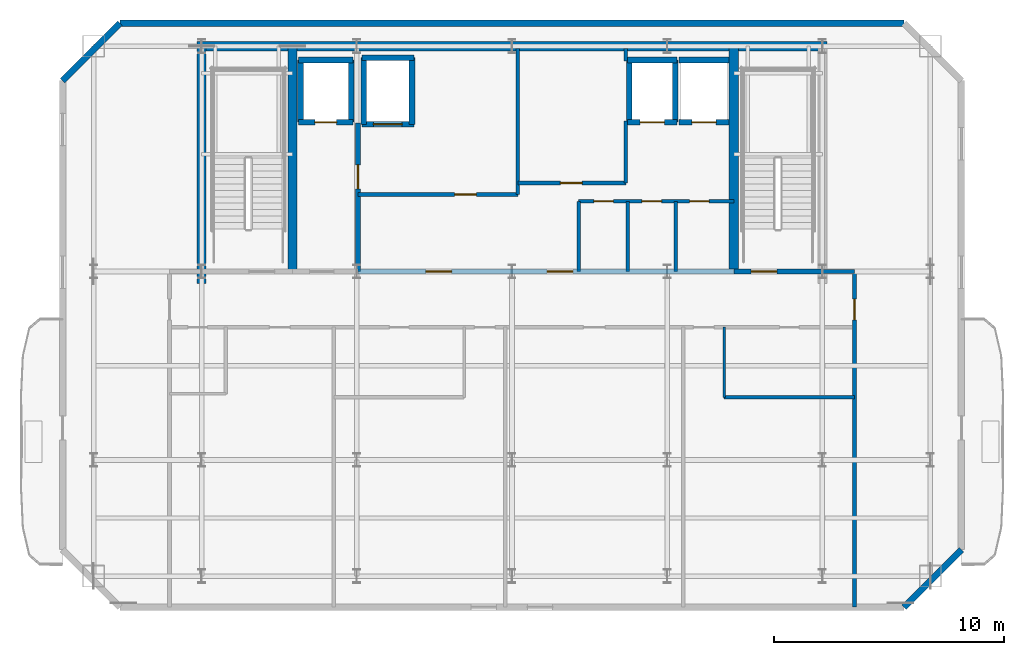
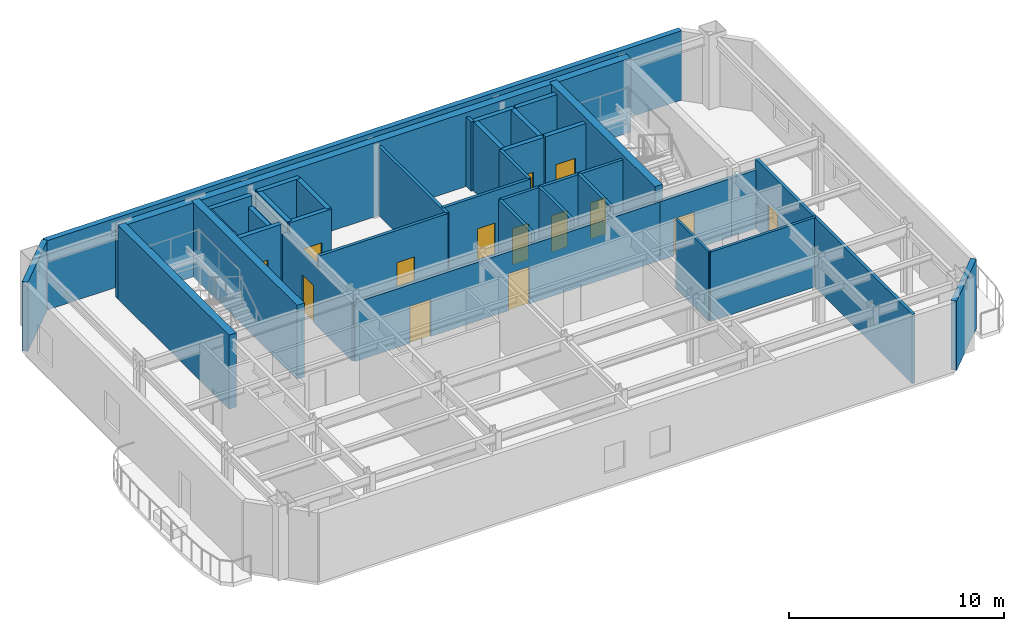
# One storey, part 3 of 6: 37 walls, 14 doors, 14 openings.
"""IFC4 building model written with IfcOpenShell, lengths in metres."""

from ifc_helpers import new_model, si_unit, direction, frame, frame_2d, origin, place, context, subcontext, project, spatial, rectangle, extrude, material, layer, layer_set, type_object, element, fill, save


model = new_model("IFC4")

# Units and contexts
model_context = context("Model", 3, precision=1e-05, world=origin(), true_north=direction((0.0, 1.0)))
body_context = subcontext(model_context, "Body", "Model", "MODEL_VIEW")
ifc_project = project(units=[si_unit("LENGTHUNIT", "METRE"), si_unit("AREAUNIT", "SQUARE_METRE"), si_unit("VOLUMEUNIT", "CUBIC_METRE"), si_unit("PLANEANGLEUNIT", "RADIAN"), si_unit("MASSUNIT", "GRAM", prefix="KILO")], contexts=[model_context])

# Site, building, storey
site_placement = place(None, origin())
site = spatial("IfcSite", under=ifc_project, at=site_placement, CompositionType="ELEMENT")
building_placement = place(site_placement, origin())
building = spatial("IfcBuilding", under=site, at=building_placement, Name="Haevon Station Towers", CompositionType="ELEMENT")
storey_placement = place(building_placement, frame((0.0, 0.0, 265.800048828125)))
storey = spatial("IfcBuildingStorey", under=building, at=storey_placement, Name="L74", CompositionType="ELEMENT", Elevation=265.800048828125)

# Wall, opening, door
ifc_material_1 = material(Name="Gypsum board on steel stud", Category="steel")
ifc_layer_1 = layer(ifc_material_1, 0.199951171875)
ifc_layer_set_1 = layer_set([ifc_layer_1], Name="Gypsum board on steel stud")
wall_type_1 = type_object("IfcWallType", Name="WL-COR200", PredefinedType="PARTITIONING", material=ifc_layer_set_1)
wall_1_placement = place(storey_placement, frame((47.14990234375, 38.199951171875, 0.0), z_axis=(0.0, 0.0, 1.0), x_axis=(1.0, 0.0, 0.0)))
wall_1 = element("IfcWall", 1, at=wall_1_placement, inside=storey, type_object=wall_type_1, Name="WL-ST-ST2-L74", PredefinedType="PARTITIONING", context=body_context, shape_type="SweptSolid", body=[
    extrude(rectangle(XDim=3.85009765625, YDim=0.199951171875, at=frame_2d((1.925048828125, 0.0))), origin(), (0.0, 0.0, 1.0), 3.329833984375),
])
opening_1_placement = place(wall_1_placement, frame((0.75, 0.0, 0.0)))
opening_1 = element("IfcOpeningElement", 2, at=opening_1_placement, cuts=wall_1, Name="Opening DR-ST-ST2-L74", PredefinedType="OPENING", context=body_context, shape_type="SweptSolid", body=[
    extrude(rectangle(XDim=1.1201171875, YDim=2.10009765625, at=frame_2d((0.56005859375, 1.050048828125))), frame((0.0, 0.10986328125, 0.0), z_axis=(0.0, -1.0, 0.0), x_axis=(1.0, 0.0, 0.0)), (0.0, 0.0, 1.0), 0.219970703125),
])
ifc_material_2 = material(Name="Engineered oak timber", Category="wood")
door_type_1 = type_object("IfcDoorType", Name="DR-ST-1120", OperationType="NOTDEFINED", PredefinedType="DOOR", material=ifc_material_2)
door_1_placement = place(opening_1_placement, origin())
door_1 = element("IfcDoor", 3, at=door_1_placement, inside=storey, type_object=door_type_1, Name="L74 Escape Stair ST2 Fire Door", OperationType="SINGLE_SWING_LEFT", OverallHeight=2.10009765625, OverallWidth=1.1201171875, PredefinedType="DOOR", context=body_context, shape_type="SweptSolid", body=[
    extrude(rectangle(XDim=1.1201171875, YDim=2.10009765625, at=frame_2d((0.56005859375, 1.050048828125))), frame((0.0, 0.02490234375, 0.0), z_axis=(0.0, -1.0, 0.0), x_axis=(1.0, 0.0, 0.0)), (0.0, 0.0, 1.0), 0.050048828125),
])
fill(opening_1, door_1)

wall_2_placement = place(storey_placement, frame((30.800048828125, 38.199951171875, 0.0), z_axis=(0.0, 0.0, 1.0), x_axis=(0.0, 1.0, 0.0)))
wall_2 = element("IfcWall", 4, at=wall_2_placement, inside=storey, type_object=wall_type_1, Name="WL-T1FFL-L74-E", PredefinedType="PARTITIONING", context=body_context, shape_type="SweptSolid", body=[
    extrude(rectangle(XDim=6.449951171875, YDim=0.199951171875, at=frame_2d((3.22509765625, 0.0))), origin(), (0.0, 0.0, 1.0), 3.329833984375),
])
opening_2_placement = place(wall_2_placement, frame((3.590087890625, 0.0, 0.0)))
opening_2 = element("IfcOpeningElement", 5, at=opening_2_placement, cuts=wall_2, Name="Opening DR-T1FFL-L74-E", PredefinedType="OPENING", context=body_context, shape_type="SweptSolid", body=[
    extrude(rectangle(XDim=1.050048828125, YDim=2.10009765625, at=frame_2d((0.52490234375, 1.050048828125))), frame((0.0, 0.10986328125, 0.0), z_axis=(0.0, -1.0, 0.0), x_axis=(1.0, 0.0, 0.0)), (0.0, 0.0, 1.0), 0.219970703125),
])
door_type_2 = type_object("IfcDoorType", Name="DR-FD60-1050", OperationType="NOTDEFINED", PredefinedType="DOOR", material=ifc_material_2)
door_2_placement = place(opening_2_placement, origin())
door_2 = element("IfcDoor", 6, at=door_2_placement, inside=storey, type_object=door_type_2, Name="L74 Tower 1 Firefighting Lift Lobby Door E", OperationType="SINGLE_SWING_RIGHT", OverallHeight=2.10009765625, OverallWidth=1.050048828125, PredefinedType="DOOR", context=body_context, shape_type="SweptSolid", body=[
    extrude(rectangle(XDim=1.050048828125, YDim=2.10009765625, at=frame_2d((0.52490234375, 1.050048828125))), frame((0.0, 0.02490234375, 0.0), z_axis=(0.0, -1.0, 0.0), x_axis=(1.0, 0.0, 0.0)), (0.0, 0.0, 1.0), 0.050048828125),
])
fill(opening_2, door_2)

# Wall, openings, doors
wall_3_placement = place(storey_placement, frame((30.800048828125, 38.199951171875, 0.0), z_axis=(0.0, 0.0, 1.0), x_axis=(1.0, 0.0, 0.0)))
wall_3 = element("IfcWall", 7, at=wall_3_placement, inside=storey, type_object=wall_type_1, Name="WL-T1CLB-L74", PredefinedType="PARTITIONING", context=body_context, shape_type="SweptSolid", body=[
    extrude(rectangle(XDim=16.349853515625, YDim=0.199951171875, at=frame_2d((8.1748046875, 0.0))), origin(), (0.0, 0.0, 1.0), 3.329833984375),
])
opening_3_placement = place(wall_3_placement, frame((2.949951171875, 0.0, 0.0)))
opening_3 = element("IfcOpeningElement", 8, at=opening_3_placement, cuts=wall_3, Name="Opening DR-T1CLB-L74-1", PredefinedType="OPENING", context=body_context, shape_type="SweptSolid", body=[
    extrude(rectangle(XDim=1.1201171875, YDim=2.10009765625, at=frame_2d((0.56005859375, 1.050048828125))), frame((0.0, 0.10986328125, 0.0), z_axis=(0.0, -1.0, 0.0), x_axis=(1.0, 0.0, 0.0)), (0.0, 0.0, 1.0), 0.219970703125),
])
opening_4_placement = place(wall_3_placement, frame((8.22998046875, 0.0, 0.0)))
opening_4 = element("IfcOpeningElement", 9, at=opening_4_placement, cuts=wall_3, Name="Opening DR-T1CLB-L74-2", PredefinedType="OPENING", context=body_context, shape_type="SweptSolid", body=[
    extrude(rectangle(XDim=1.1201171875, YDim=2.10009765625, at=frame_2d((0.56005859375, 1.050048828125))), frame((0.0, 0.10986328125, 0.0), z_axis=(0.0, -1.0, 0.0), x_axis=(1.0, 0.0, 0.0)), (0.0, 0.0, 1.0), 0.219970703125),
])
door_3_placement = place(opening_3_placement, origin())
door_3 = element("IfcDoor", 10, at=door_3_placement, inside=storey, type_object=door_type_1, Name="L74 Tower 1 Core Lift Lobby Door 1", OperationType="SINGLE_SWING_RIGHT", OverallHeight=2.10009765625, OverallWidth=1.1201171875, PredefinedType="DOOR", context=body_context, shape_type="SweptSolid", body=[
    extrude(rectangle(XDim=1.1201171875, YDim=2.10009765625, at=frame_2d((0.56005859375, 1.050048828125))), frame((0.0, 0.02490234375, 0.0), z_axis=(0.0, -1.0, 0.0), x_axis=(1.0, 0.0, 0.0)), (0.0, 0.0, 1.0), 0.050048828125),
])
fill(opening_3, door_3)
door_4_placement = place(opening_4_placement, origin())
door_4 = element("IfcDoor", 11, at=door_4_placement, inside=storey, type_object=door_type_1, Name="L74 Tower 1 Core Lift Lobby Door 2", OperationType="SINGLE_SWING_LEFT", OverallHeight=2.10009765625, OverallWidth=1.1201171875, PredefinedType="DOOR", context=body_context, shape_type="SweptSolid", body=[
    extrude(rectangle(XDim=1.1201171875, YDim=2.10009765625, at=frame_2d((0.56005859375, 1.050048828125))), frame((0.0, 0.02490234375, 0.0), z_axis=(0.0, -1.0, 0.0), x_axis=(1.0, 0.0, 0.0)), (0.0, 0.0, 1.0), 0.050048828125),
])
fill(opening_4, door_4)

# Walls
ifc_material_3 = material(Name="Concrete C60/75", Category="concrete")
ifc_layer_2 = layer(ifc_material_3, 0.39990234375)
ifc_layer_set_2 = layer_set([ifc_layer_2], Name="Concrete C60/75")
wall_type_2 = type_object("IfcWallType", Name="WL-CR400", PredefinedType="SHEAR", material=ifc_layer_set_2)
wall_4_placement = place(storey_placement, frame((23.800048828125, 48.0, 0.0), z_axis=(0.0, 0.0, 1.0), x_axis=(1.0, 0.0, 0.0)))
element("IfcWall", 12, at=wall_4_placement, inside=storey, type_object=wall_type_2, Name="WL-T1CR-L74-N", PredefinedType="SHEAR", context=body_context, shape_type="SweptSolid", body=[
    extrude(rectangle(XDim=27.39990234375, YDim=0.39990234375, at=frame_2d((13.699951171875, 0.0))), origin(), (0.0, 0.0, 1.0), 4.199951171875),
])
wall_5_placement = place(storey_placement, frame((24.0, 37.679931640625, 0.0), z_axis=(0.0, 0.0, 1.0), x_axis=(0.0, 1.0, 0.0)))
element("IfcWall", 13, at=wall_5_placement, inside=storey, type_object=wall_type_2, Name="WL-T1CR-L74-W", PredefinedType="SHEAR", context=body_context, shape_type="SweptSolid", body=[
    extrude(rectangle(XDim=10.320068359375, YDim=0.39990234375, at=frame_2d((5.16015625, 0.0))), origin(), (0.0, 0.0, 1.0), 4.199951171875),
])
for number, where, z_axis, x_axis, name in (
    (14, (27.949951171875, 38.199951171875, 0.0), (0.0, 0.0, 1.0), (0.0, 1.0, 0.0), "WL-T1CR-L74-M1"),
    (15, (47.14990234375, 38.199951171875, 0.0), (0.0, 0.0, 1.0), (0.0, 1.0, 0.0), "WL-T1CR-L74-M2"),
):
    element("IfcWall", number, at=place(storey_placement, frame(where, z_axis=z_axis, x_axis=x_axis)), inside=storey, type_object=wall_type_2, Name=name, PredefinedType="SHEAR", context=body_context, shape_type="SweptSolid", body=[
        extrude(rectangle(XDim=9.800048828125, YDim=0.39990234375, at=frame_2d((4.89990234375, 0.0))), origin(), (0.0, 0.0, 1.0), 4.199951171875),
    ])
ifc_material_4 = material(Name="Precast concrete C45/55", Category="concrete")
ifc_layer_3 = layer(ifc_material_4, 0.280029296875)
ifc_layer_set_3 = layer_set([ifc_layer_3], Name="Precast concrete C45/55")
wall_type_3 = type_object("IfcWallType", Name="WL-EXT-PIER280", PredefinedType="SOLIDWALL", material=ifc_layer_set_3)
wall_6_placement = place(storey_placement, frame((17.949951171875, 46.5, 0.0), z_axis=(0.0, 0.0, 1.0), x_axis=(0.707106781187, 0.707106781187, 0.0)))
element("IfcWall", 16, at=wall_6_placement, inside=storey, type_object=wall_type_3, Name="WL-T1-L74-NWC", PredefinedType="SOLIDWALL", context=body_context, shape_type="SweptSolid", body=[
    extrude(rectangle(XDim=3.53564453125, YDim=0.280029296875, at=frame_2d((1.767822265625, 0.0))), origin(), (0.0, 0.0, 1.0), 3.929931640625),
])
wall_7_placement = place(storey_placement, frame((20.449951171875, 49.0, 0.0), z_axis=(0.0, 0.0, 1.0), x_axis=(1.0, 0.0, 0.0)))
element("IfcWall", 17, at=wall_7_placement, inside=storey, type_object=wall_type_3, Name="WL-T1-L74-N", PredefinedType="SOLIDWALL", context=body_context, shape_type="SweptSolid", body=[
    extrude(rectangle(XDim=34.10009765625, YDim=0.280029296875, at=frame_2d((17.050048828125, 0.0))), origin(), (0.0, 0.0, 1.0), 3.929931640625),
])
wall_8_placement = place(storey_placement, frame((57.050048828125, 26.10009765625, 0.0), z_axis=(0.0, 0.0, 1.0), x_axis=(-0.707106781187, -0.707106781187, 0.0)))
element("IfcWall", 18, at=wall_8_placement, inside=storey, type_object=wall_type_3, Name="WL-T1-L74-SEC", PredefinedType="SOLIDWALL", context=body_context, shape_type="SweptSolid", body=[
    extrude(rectangle(XDim=3.53564453125, YDim=0.280029296875, at=frame_2d((1.767822265625, 0.0))), origin(), (0.0, 0.0, 1.0), 3.929931640625),
])
ifc_layer_4 = layer(ifc_material_1, 0.125)
ifc_layer_set_4 = layer_set([ifc_layer_4], Name="Gypsum board on steel stud")
wall_type_4 = type_object("IfcWallType", Name="WL-PRT125", PredefinedType="PARTITIONING", material=ifc_layer_set_4)
wall_9_placement = place(storey_placement, frame((46.72998046875, 32.72998046875, 0.0), z_axis=(0.0, 0.0, 1.0), x_axis=(0.0, 1.0, 0.0)))
element("IfcWall", 19, at=wall_9_placement, inside=storey, type_object=wall_type_4, Name="WL-T1PT-L74-13", PredefinedType="PARTITIONING", context=body_context, shape_type="SweptSolid", body=[
    extrude(rectangle(XDim=3.050048828125, YDim=0.125, at=frame_2d((1.52490234375, 0.0))), origin(), (0.0, 0.0, 1.0), 3.929931640625),
])
ifc_layer_5 = layer(ifc_material_1, 0.139892578125)
ifc_layer_set_5 = layer_set([ifc_layer_5], Name="Gypsum board on steel stud")
wall_type_5 = type_object("IfcWallType", Name="WL-PRT140", PredefinedType="PARTITIONING", material=ifc_layer_set_5)
wall_10_placement = place(storey_placement, frame((46.72998046875, 32.72998046875, 0.0), z_axis=(0.0, 0.0, 1.0), x_axis=(1.0, 0.0, 0.0)))
element("IfcWall", 20, at=wall_10_placement, inside=storey, type_object=wall_type_5, Name="WL-T1PT-L74-12", PredefinedType="PARTITIONING", context=body_context, shape_type="SweptSolid", body=[
    extrude(rectangle(XDim=5.669921875, YDim=0.139892578125, at=frame_2d((2.8349609375, 0.0))), origin(), (0.0, 0.0, 1.0), 3.929931640625),
])

# Wall, opening, door
ifc_layer_6 = layer(ifc_material_1, 0.159912109375)
ifc_layer_set_6 = layer_set([ifc_layer_6], Name="Gypsum board on steel stud")
wall_type_6 = type_object("IfcWallType", Name="WL-PRT160", PredefinedType="PARTITIONING", material=ifc_layer_set_6)
wall_11_placement = place(storey_placement, frame((30.800048828125, 41.550048828125, 0.0), z_axis=(0.0, 0.0, 1.0), x_axis=(1.0, 0.0, 0.0)))
wall_11 = element("IfcWall", 21, at=wall_11_placement, inside=storey, type_object=wall_type_6, Name="WL-T1CW-L74-01", PredefinedType="PARTITIONING", context=body_context, shape_type="SweptSolid", body=[
    extrude(rectangle(XDim=6.949951171875, YDim=0.159912109375, at=frame_2d((3.47509765625, 0.0))), origin(), (0.0, 0.0, 1.0), 3.929931640625),
])
opening_5_placement = place(wall_11_placement, frame((4.199951171875, 0.0, 0.0)))
opening_5 = element("IfcOpeningElement", 22, at=opening_5_placement, cuts=wall_11, Name="Opening DR-WL-T1CW-L74-01-1", PredefinedType="OPENING", context=body_context, shape_type="SweptSolid", body=[
    extrude(rectangle(XDim=0.949951171875, YDim=2.10009765625, at=frame_2d((0.47509765625, 1.050048828125))), frame((0.0, 0.08984375, 0.0), z_axis=(0.0, -1.0, 0.0), x_axis=(1.0, 0.0, 0.0)), (0.0, 0.0, 1.0), 0.179931640625),
])
door_type_3 = type_object("IfcDoorType", Name="DR-FD60-950", OperationType="NOTDEFINED", PredefinedType="DOOR", material=ifc_material_2)
door_5_placement = place(opening_5_placement, origin())
door_5 = element("IfcDoor", 23, at=door_5_placement, inside=storey, type_object=door_type_3, Name="L74 Tower 1 Core Room Door 1-1", OperationType="SINGLE_SWING_LEFT", OverallHeight=2.10009765625, OverallWidth=0.949951171875, PredefinedType="DOOR", context=body_context, shape_type="SweptSolid", body=[
    extrude(rectangle(XDim=0.949951171875, YDim=2.10009765625, at=frame_2d((0.47509765625, 1.050048828125))), frame((0.0, 0.02490234375, 0.0), z_axis=(0.0, -1.0, 0.0), x_axis=(1.0, 0.0, 0.0)), (0.0, 0.0, 1.0), 0.050048828125),
])
fill(opening_5, door_5)

# Wall
wall_12_placement = place(storey_placement, frame((37.75, 41.550048828125, 0.0), z_axis=(0.0, 0.0, 1.0), x_axis=(0.0, 1.0, 0.0)))
element("IfcWall", 24, at=wall_12_placement, inside=storey, type_object=wall_type_6, Name="WL-T1CW-L74-02", PredefinedType="PARTITIONING", context=body_context, shape_type="SweptSolid", body=[
    extrude(rectangle(XDim=6.349853515625, YDim=0.159912109375, at=frame_2d((3.1748046875, 0.0))), origin(), (0.0, 0.0, 1.0), 3.929931640625),
])

# Wall, opening, door
wall_13_placement = place(storey_placement, frame((37.75, 42.050048828125, 0.0), z_axis=(0.0, 0.0, 1.0), x_axis=(1.0, 0.0, 0.0)))
wall_13 = element("IfcWall", 25, at=wall_13_placement, inside=storey, type_object=wall_type_6, Name="WL-T1CW-L74-03", PredefinedType="PARTITIONING", context=body_context, shape_type="SweptSolid", body=[
    extrude(rectangle(XDim=4.699951171875, YDim=0.159912109375, at=frame_2d((2.35009765625, 0.0))), origin(), (0.0, 0.0, 1.0), 3.929931640625),
])
opening_6_placement = place(wall_13_placement, frame((1.85009765625, 0.0, 0.0)))
opening_6 = element("IfcOpeningElement", 26, at=opening_6_placement, cuts=wall_13, Name="Opening DR-WL-T1CW-L74-03-1", PredefinedType="OPENING", context=body_context, shape_type="SweptSolid", body=[
    extrude(rectangle(XDim=0.949951171875, YDim=2.10009765625, at=frame_2d((0.47509765625, 1.050048828125))), frame((0.0, 0.08984375, 0.0), z_axis=(0.0, -1.0, 0.0), x_axis=(1.0, 0.0, 0.0)), (0.0, 0.0, 1.0), 0.179931640625),
])
door_6_placement = place(opening_6_placement, origin())
door_6 = element("IfcDoor", 27, at=door_6_placement, inside=storey, type_object=door_type_3, Name="L74 Tower 1 Core Room Door 3-1", OperationType="SINGLE_SWING_RIGHT", OverallHeight=2.10009765625, OverallWidth=0.949951171875, PredefinedType="DOOR", context=body_context, shape_type="SweptSolid", body=[
    extrude(rectangle(XDim=0.949951171875, YDim=2.10009765625, at=frame_2d((0.47509765625, 1.050048828125))), frame((0.0, 0.02490234375, 0.0), z_axis=(0.0, -1.0, 0.0), x_axis=(1.0, 0.0, 0.0)), (0.0, 0.0, 1.0), 0.050048828125),
])
fill(opening_6, door_6)

# Walls
wall_14_placement = place(storey_placement, frame((42.449951171875, 42.050048828125, 0.0), z_axis=(0.0, 0.0, 1.0), x_axis=(0.0, 1.0, 0.0)))
element("IfcWall", 28, at=wall_14_placement, inside=storey, type_object=wall_type_6, Name="WL-T1CW-L74-04", PredefinedType="PARTITIONING", context=body_context, shape_type="SweptSolid", body=[
    extrude(rectangle(XDim=2.699951171875, YDim=0.159912109375, at=frame_2d((1.35009765625, 0.0))), origin(), (0.0, 0.0, 1.0), 3.929931640625),
])
wall_15_placement = place(storey_placement, frame((42.449951171875, 47.35009765625, 0.0), z_axis=(0.0, 0.0, 1.0), x_axis=(0.0, 1.0, 0.0)))
element("IfcWall", 29, at=wall_15_placement, inside=storey, type_object=wall_type_6, Name="WL-T1CW-L74-05", PredefinedType="PARTITIONING", context=body_context, shape_type="SweptSolid", body=[
    extrude(rectangle(XDim=0.5498046875, YDim=0.159912109375, at=frame_2d((0.27490234375, 0.0))), origin(), (0.0, 0.0, 1.0), 3.929931640625),
])
for number, where, z_axis, x_axis, name in (
    (30, (40.39990234375, 38.199951171875, 0.0), (0.0, 0.0, 1.0), (0.0, 1.0, 0.0), "WL-T1CW-L74-06"),
    (31, (42.530029296875, 38.199951171875, 0.0), (0.0, 0.0, 1.0), (0.0, 1.0, 0.0), "WL-T1CW-L74-07"),
    (32, (44.6298828125, 38.199951171875, 0.0), (0.0, 0.0, 1.0), (0.0, 1.0, 0.0), "WL-T1CW-L74-08"),
):
    element("IfcWall", number, at=place(storey_placement, frame(where, z_axis=z_axis, x_axis=x_axis)), inside=storey, type_object=wall_type_6, Name=name, PredefinedType="PARTITIONING", context=body_context, shape_type="SweptSolid", body=[
        extrude(rectangle(XDim=3.050048828125, YDim=0.159912109375, at=frame_2d((1.52490234375, 0.0))), origin(), (0.0, 0.0, 1.0), 3.929931640625),
    ])

# Wall, openings, doors
wall_16_placement = place(storey_placement, frame((40.39990234375, 41.25, 0.0), z_axis=(0.0, 0.0, 1.0), x_axis=(1.0, 0.0, 0.0)))
wall_16 = element("IfcWall", 33, at=wall_16_placement, inside=storey, type_object=wall_type_6, Name="WL-T1CW-L74-09", PredefinedType="PARTITIONING", context=body_context, shape_type="SweptSolid", body=[
    extrude(rectangle(XDim=6.75, YDim=0.159912109375, at=frame_2d((3.375, 0.0))), origin(), (0.0, 0.0, 1.0), 3.929931640625),
])
opening_7_placement = place(wall_16_placement, frame((0.659912109375, 0.0, 0.0)))
opening_7 = element("IfcOpeningElement", 34, at=opening_7_placement, cuts=wall_16, Name="Opening DR-WL-T1CW-L74-09-1", PredefinedType="OPENING", context=body_context, shape_type="SweptSolid", body=[
    extrude(rectangle(XDim=0.85009765625, YDim=2.050048828125, at=frame_2d((0.425048828125, 1.02490234375))), frame((0.0, 0.08984375, 0.0), z_axis=(0.0, -1.0, 0.0), x_axis=(1.0, 0.0, 0.0)), (0.0, 0.0, 1.0), 0.179931640625),
])
opening_8_placement = place(wall_16_placement, frame((2.7548828125, 0.0, 0.0)))
opening_8 = element("IfcOpeningElement", 35, at=opening_8_placement, cuts=wall_16, Name="Opening DR-WL-T1CW-L74-09-2", PredefinedType="OPENING", context=body_context, shape_type="SweptSolid", body=[
    extrude(rectangle(XDim=0.85009765625, YDim=2.050048828125, at=frame_2d((0.425048828125, 1.02490234375))), frame((0.0, 0.08984375, 0.0), z_axis=(0.0, -1.0, 0.0), x_axis=(1.0, 0.0, 0.0)), (0.0, 0.0, 1.0), 0.179931640625),
])
opening_9_placement = place(wall_16_placement, frame((4.830078125, 0.0, 0.0)))
opening_9 = element("IfcOpeningElement", 36, at=opening_9_placement, cuts=wall_16, Name="Opening DR-WL-T1CW-L74-09-3", PredefinedType="OPENING", context=body_context, shape_type="SweptSolid", body=[
    extrude(rectangle(XDim=0.85009765625, YDim=2.050048828125, at=frame_2d((0.425048828125, 1.02490234375))), frame((0.0, 0.08984375, 0.0), z_axis=(0.0, -1.0, 0.0), x_axis=(1.0, 0.0, 0.0)), (0.0, 0.0, 1.0), 0.179931640625),
])
door_type_4 = type_object("IfcDoorType", Name="DR-FD30-850", OperationType="NOTDEFINED", PredefinedType="DOOR", material=ifc_material_2)
door_7_placement = place(opening_7_placement, origin())
door_7 = element("IfcDoor", 37, at=door_7_placement, inside=storey, type_object=door_type_4, Name="L74 Tower 1 Core Room Door 9-1", OperationType="SINGLE_SWING_LEFT", OverallHeight=2.050048828125, OverallWidth=0.85009765625, PredefinedType="DOOR", context=body_context, shape_type="SweptSolid", body=[
    extrude(rectangle(XDim=0.85009765625, YDim=2.050048828125, at=frame_2d((0.425048828125, 1.02490234375))), frame((0.0, 0.02490234375, 0.0), z_axis=(0.0, -1.0, 0.0), x_axis=(1.0, 0.0, 0.0)), (0.0, 0.0, 1.0), 0.050048828125),
])
fill(opening_7, door_7)
door_8_placement = place(opening_8_placement, origin())
door_8 = element("IfcDoor", 38, at=door_8_placement, inside=storey, type_object=door_type_4, Name="L74 Tower 1 Core Room Door 9-2", OperationType="SINGLE_SWING_RIGHT", OverallHeight=2.050048828125, OverallWidth=0.85009765625, PredefinedType="DOOR", context=body_context, shape_type="SweptSolid", body=[
    extrude(rectangle(XDim=0.85009765625, YDim=2.050048828125, at=frame_2d((0.425048828125, 1.02490234375))), frame((0.0, 0.02490234375, 0.0), z_axis=(0.0, -1.0, 0.0), x_axis=(1.0, 0.0, 0.0)), (0.0, 0.0, 1.0), 0.050048828125),
])
fill(opening_8, door_8)
door_9_placement = place(opening_9_placement, origin())
door_9 = element("IfcDoor", 39, at=door_9_placement, inside=storey, type_object=door_type_4, Name="L74 Tower 1 Core Room Door 9-3", OperationType="SINGLE_SWING_LEFT", OverallHeight=2.050048828125, OverallWidth=0.85009765625, PredefinedType="DOOR", context=body_context, shape_type="SweptSolid", body=[
    extrude(rectangle(XDim=0.85009765625, YDim=2.050048828125, at=frame_2d((0.425048828125, 1.02490234375))), frame((0.0, 0.02490234375, 0.0), z_axis=(0.0, -1.0, 0.0), x_axis=(1.0, 0.0, 0.0)), (0.0, 0.0, 1.0), 0.050048828125),
])
fill(opening_9, door_9)

# Wall
wall_17_placement = place(storey_placement, frame((51.0, 38.199951171875, 0.0), z_axis=(0.0, 0.0, 1.0), x_axis=(1.0, 0.0, 0.0)))
element("IfcWall", 40, at=wall_17_placement, inside=storey, type_object=wall_type_6, Name="WL-T1PT-L74-02", PredefinedType="PARTITIONING", context=body_context, shape_type="SweptSolid", body=[
    extrude(rectangle(XDim=1.39990234375, YDim=0.159912109375, at=frame_2d((0.699951171875, 0.0))), origin(), (0.0, 0.0, 1.0), 3.329833984375),
])

# Wall, opening, door
wall_18_placement = place(storey_placement, frame((52.39990234375, 23.60009765625, 0.0), z_axis=(0.0, 0.0, 1.0), x_axis=(0.0, 1.0, 0.0)))
wall_18 = element("IfcWall", 41, at=wall_18_placement, inside=storey, type_object=wall_type_6, Name="WL-T1PT-L74-04", PredefinedType="PARTITIONING", context=body_context, shape_type="SweptSolid", body=[
    extrude(rectangle(XDim=14.599853515625, YDim=0.159912109375, at=frame_2d((7.2998046875, 0.0))), origin(), (0.0, 0.0, 1.0), 3.929931640625),
])
opening_10_placement = place(wall_18_placement, frame((12.5, 0.0, 0.0)))
opening_10 = element("IfcOpeningElement", 42, at=opening_10_placement, cuts=wall_18, Name="Opening DR-WL-T1PT-L74-04-01", PredefinedType="OPENING", context=body_context, shape_type="SweptSolid", body=[
    extrude(rectangle(XDim=0.89990234375, YDim=2.050048828125, at=frame_2d((0.449951171875, 1.02490234375))), frame((0.0, 0.08984375, 0.0), z_axis=(0.0, -1.0, 0.0), x_axis=(1.0, 0.0, 0.0)), (0.0, 0.0, 1.0), 0.179931640625),
])
door_type_5 = type_object("IfcDoorType", Name="DR-INT-900", OperationType="NOTDEFINED", PredefinedType="DOOR", material=ifc_material_2)
door_10_placement = place(opening_10_placement, origin())
door_10 = element("IfcDoor", 43, at=door_10_placement, inside=storey, type_object=door_type_5, Name="L74 Tower 1 Room Door 4-1", OperationType="SINGLE_SWING_LEFT", OverallHeight=2.050048828125, OverallWidth=0.89990234375, PredefinedType="DOOR", context=body_context, shape_type="SweptSolid", body=[
    extrude(rectangle(XDim=0.89990234375, YDim=2.050048828125, at=frame_2d((0.449951171875, 1.02490234375))), frame((0.0, 0.02490234375, 0.0), z_axis=(0.0, -1.0, 0.0), x_axis=(1.0, 0.0, 0.0)), (0.0, 0.0, 1.0), 0.050048828125),
])
fill(opening_10, door_10)

ifc_material_5 = material(Name="Concrete C40/50", Category="concrete")
ifc_layer_7 = layer(ifc_material_5, 0.239990234375)
ifc_layer_set_7 = layer_set([ifc_layer_7], Name="Concrete C40/50")
wall_type_7 = type_object("IfcWallType", Name="WL-SHF240", PredefinedType="PARTITIONING", material=ifc_layer_set_7)
wall_19_placement = place(storey_placement, frame((28.219970703125, 44.699951171875, 0.0), z_axis=(0.0, 0.0, 1.0), x_axis=(1.0, 0.0, 0.0)))
wall_19 = element("IfcWall", 44, at=wall_19_placement, inside=storey, type_object=wall_type_7, Name="WL-SHF-FL1-L74", PredefinedType="PARTITIONING", context=body_context, shape_type="SweptSolid", body=[
    extrude(rectangle(XDim=2.360107421875, YDim=0.239990234375, at=frame_2d((1.18017578125, 0.0))), origin(), (0.0, 0.0, 1.0), 3.929931640625),
])
opening_11_placement = place(wall_19_placement, frame((0.705078125, 0.0, 0.0)))
opening_11 = element("IfcOpeningElement", 45, at=opening_11_placement, cuts=wall_19, Name="Opening LD-FL1-L74", PredefinedType="OPENING", context=body_context, shape_type="SweptSolid", body=[
    extrude(rectangle(XDim=0.949951171875, YDim=2.14990234375, at=frame_2d((0.47509765625, 1.074951171875))), frame((0.0, 0.1298828125, 0.0), z_axis=(0.0, -1.0, 0.0), x_axis=(1.0, 0.0, 0.0)), (0.0, 0.0, 1.0), 0.260009765625),
])
ifc_material_6 = material(Name="Stainless steel and rated core", Category="steel")
door_type_6 = type_object("IfcDoorType", Name="LD-FL950", OperationType="SLIDING_TO_LEFT", PredefinedType="DOOR", material=ifc_material_6)
door_11_placement = place(opening_11_placement, origin())
door_11 = element("IfcDoor", 46, at=door_11_placement, inside=storey, type_object=door_type_6, Name="L74 Lift FL1 Sliding Landing Door", OperationType="SLIDING_TO_LEFT", OverallHeight=2.14990234375, OverallWidth=0.949951171875, PredefinedType="DOOR", context=body_context, shape_type="SweptSolid", body=[
    extrude(rectangle(XDim=0.949951171875, YDim=2.14990234375, at=frame_2d((0.47509765625, 1.074951171875))), frame((0.0, 0.02490234375, 0.0), z_axis=(0.0, -1.0, 0.0), x_axis=(1.0, 0.0, 0.0)), (0.0, 0.0, 1.0), 0.050048828125),
])
fill(opening_11, door_11)

# Walls
wall_20_placement = place(storey_placement, frame((28.219970703125, 47.39990234375, 0.0), z_axis=(0.0, 0.0, 1.0), x_axis=(1.0, 0.0, 0.0)))
element("IfcWall", 47, at=wall_20_placement, inside=storey, type_object=wall_type_7, Name="WL-SHF-FL1-L74-N", PredefinedType="PARTITIONING", context=body_context, shape_type="SweptSolid", body=[
    extrude(rectangle(XDim=2.360107421875, YDim=0.239990234375, at=frame_2d((1.18017578125, 0.0))), origin(), (0.0, 0.0, 1.0), 3.929931640625),
])
wall_21_placement = place(storey_placement, frame((28.300048828125, 44.699951171875, 0.0), z_axis=(0.0, 0.0, 1.0), x_axis=(0.0, 1.0, 0.0)))
element("IfcWall", 48, at=wall_21_placement, inside=storey, type_object=wall_type_7, Name="WL-SHF-FL1-L74-W", PredefinedType="PARTITIONING", context=body_context, shape_type="SweptSolid", body=[
    extrude(rectangle(XDim=2.699951171875, YDim=0.239990234375, at=frame_2d((1.35009765625, 0.0))), origin(), (0.0, 0.0, 1.0), 3.929931640625),
])
wall_22_placement = place(storey_placement, frame((30.5, 44.699951171875, 0.0), z_axis=(0.0, 0.0, 1.0), x_axis=(0.0, 1.0, 0.0)))
element("IfcWall", 49, at=wall_22_placement, inside=storey, type_object=wall_type_7, Name="WL-SHF-FL1-L74-E", PredefinedType="PARTITIONING", context=body_context, shape_type="SweptSolid", body=[
    extrude(rectangle(XDim=2.699951171875, YDim=0.239990234375, at=frame_2d((1.35009765625, 0.0))), origin(), (0.0, 0.0, 1.0), 3.329833984375),
])

# Wall, opening, door
wall_23_placement = place(storey_placement, frame((30.969970703125, 44.60009765625, 0.0), z_axis=(0.0, 0.0, 1.0), x_axis=(1.0, 0.0, 0.0)))
wall_23 = element("IfcWall", 50, at=wall_23_placement, inside=storey, type_object=wall_type_7, Name="WL-SHF-SL1-L74", PredefinedType="PARTITIONING", context=body_context, shape_type="SweptSolid", body=[
    extrude(rectangle(XDim=2.260009765625, YDim=0.239990234375, at=frame_2d((1.1298828125, 0.0))), origin(), (0.0, 0.0, 1.0), 3.929931640625),
])
opening_12_placement = place(wall_23_placement, frame((0.5048828125, 0.0, 0.0)))
opening_12 = element("IfcOpeningElement", 51, at=opening_12_placement, cuts=wall_23, Name="Opening LD-SL1-L74", PredefinedType="OPENING", context=body_context, shape_type="SweptSolid", body=[
    extrude(rectangle(XDim=1.25, YDim=2.199951171875, at=frame_2d((0.625, 1.10009765625))), frame((0.0, 0.1298828125, 0.0), z_axis=(0.0, -1.0, 0.0), x_axis=(1.0, 0.0, 0.0)), (0.0, 0.0, 1.0), 0.260009765625),
])
door_type_7 = type_object("IfcDoorType", Name="LD-SL1250", OperationType="SLIDING_TO_LEFT", PredefinedType="DOOR", material=ifc_material_6)
door_12_placement = place(opening_12_placement, origin())
door_12 = element("IfcDoor", 52, at=door_12_placement, inside=storey, type_object=door_type_7, Name="L74 Lift SL1 Sliding Landing Door", OperationType="SLIDING_TO_LEFT", OverallHeight=2.199951171875, OverallWidth=1.25, PredefinedType="DOOR", context=body_context, shape_type="SweptSolid", body=[
    extrude(rectangle(XDim=1.25, YDim=2.199951171875, at=frame_2d((0.625, 1.10009765625))), frame((0.0, 0.02490234375, 0.0), z_axis=(0.0, -1.0, 0.0), x_axis=(1.0, 0.0, 0.0)), (0.0, 0.0, 1.0), 0.050048828125),
])
fill(opening_12, door_12)

# Walls
wall_24_placement = place(storey_placement, frame((30.969970703125, 47.5, 0.0), z_axis=(0.0, 0.0, 1.0), x_axis=(1.0, 0.0, 0.0)))
element("IfcWall", 53, at=wall_24_placement, inside=storey, type_object=wall_type_7, Name="WL-SHF-SL1-L74-N", PredefinedType="PARTITIONING", context=body_context, shape_type="SweptSolid", body=[
    extrude(rectangle(XDim=2.260009765625, YDim=0.239990234375, at=frame_2d((1.1298828125, 0.0))), origin(), (0.0, 0.0, 1.0), 3.929931640625),
])
for number, where, z_axis, x_axis, name in (
    (54, (31.050048828125, 44.60009765625, 0.0), (0.0, 0.0, 1.0), (0.0, 1.0, 0.0), "WL-SHF-SL1-L74-W"),
    (55, (33.14990234375, 44.60009765625, 0.0), (0.0, 0.0, 1.0), (0.0, 1.0, 0.0), "WL-SHF-SL1-L74-E"),
):
    element("IfcWall", number, at=place(storey_placement, frame(where, z_axis=z_axis, x_axis=x_axis)), inside=storey, type_object=wall_type_7, Name=name, PredefinedType="PARTITIONING", context=body_context, shape_type="SweptSolid", body=[
        extrude(rectangle(XDim=2.89990234375, YDim=0.239990234375, at=frame_2d((1.449951171875, 0.0))), origin(), (0.0, 0.0, 1.0), 3.929931640625),
    ])

# Wall, opening, door
wall_25_placement = place(storey_placement, frame((42.52001953125, 44.699951171875, 0.0), z_axis=(0.0, 0.0, 1.0), x_axis=(1.0, 0.0, 0.0)))
wall_25 = element("IfcWall", 56, at=wall_25_placement, inside=storey, type_object=wall_type_7, Name="WL-SHF-PL5-L74", PredefinedType="PARTITIONING", context=body_context, shape_type="SweptSolid", body=[
    extrude(rectangle(XDim=2.159912109375, YDim=0.239990234375, at=frame_2d((1.080078125, 0.0))), origin(), (0.0, 0.0, 1.0), 3.929931640625),
])
opening_13_placement = place(wall_25_placement, frame((0.554931640625, 0.0, 0.0)))
opening_13 = element("IfcOpeningElement", 57, at=opening_13_placement, cuts=wall_25, Name="Opening LD-PL5-L74", PredefinedType="OPENING", context=body_context, shape_type="SweptSolid", body=[
    extrude(rectangle(XDim=1.050048828125, YDim=2.14990234375, at=frame_2d((0.52490234375, 1.074951171875))), frame((0.0, 0.1298828125, 0.0), z_axis=(0.0, -1.0, 0.0), x_axis=(1.0, 0.0, 0.0)), (0.0, 0.0, 1.0), 0.260009765625),
])
door_type_8 = type_object("IfcDoorType", Name="LD-PL1050", OperationType="SLIDING_TO_LEFT", PredefinedType="DOOR", material=ifc_material_6)
door_13_placement = place(opening_13_placement, origin())
door_13 = element("IfcDoor", 58, at=door_13_placement, inside=storey, type_object=door_type_8, Name="L74 Lift PL5 Sliding Landing Door", OperationType="SLIDING_TO_LEFT", OverallHeight=2.14990234375, OverallWidth=1.050048828125, PredefinedType="DOOR", context=body_context, shape_type="SweptSolid", body=[
    extrude(rectangle(XDim=1.050048828125, YDim=2.14990234375, at=frame_2d((0.52490234375, 1.074951171875))), frame((0.0, 0.02490234375, 0.0), z_axis=(0.0, -1.0, 0.0), x_axis=(1.0, 0.0, 0.0)), (0.0, 0.0, 1.0), 0.050048828125),
])
fill(opening_13, door_13)

# Walls
wall_26_placement = place(storey_placement, frame((42.52001953125, 47.39990234375, 0.0), z_axis=(0.0, 0.0, 1.0), x_axis=(1.0, 0.0, 0.0)))
element("IfcWall", 59, at=wall_26_placement, inside=storey, type_object=wall_type_7, Name="WL-SHF-PL5-L74-N", PredefinedType="PARTITIONING", context=body_context, shape_type="SweptSolid", body=[
    extrude(rectangle(XDim=2.159912109375, YDim=0.239990234375, at=frame_2d((1.080078125, 0.0))), origin(), (0.0, 0.0, 1.0), 3.929931640625),
])
for number, where, z_axis, x_axis, name in (
    (60, (42.60009765625, 44.699951171875, 0.0), (0.0, 0.0, 1.0), (0.0, 1.0, 0.0), "WL-SHF-PL5-L74-W"),
    (61, (44.60009765625, 44.699951171875, 0.0), (0.0, 0.0, 1.0), (0.0, 1.0, 0.0), "WL-SHF-PL5-L74-E"),
):
    element("IfcWall", number, at=place(storey_placement, frame(where, z_axis=z_axis, x_axis=x_axis)), inside=storey, type_object=wall_type_7, Name=name, PredefinedType="PARTITIONING", context=body_context, shape_type="SweptSolid", body=[
        extrude(rectangle(XDim=2.699951171875, YDim=0.239990234375, at=frame_2d((1.35009765625, 0.0))), origin(), (0.0, 0.0, 1.0), 3.929931640625),
    ])

# Wall, opening, door
wall_27_placement = place(storey_placement, frame((44.77001953125, 44.699951171875, 0.0), z_axis=(0.0, 0.0, 1.0), x_axis=(1.0, 0.0, 0.0)))
wall_27 = element("IfcWall", 62, at=wall_27_placement, inside=storey, type_object=wall_type_7, Name="WL-SHF-PL6-L74", PredefinedType="PARTITIONING", context=body_context, shape_type="SweptSolid", body=[
    extrude(rectangle(XDim=2.159912109375, YDim=0.239990234375, at=frame_2d((1.080078125, 0.0))), origin(), (0.0, 0.0, 1.0), 3.929931640625),
])
opening_14_placement = place(wall_27_placement, frame((0.554931640625, 0.0, 0.0)))
opening_14 = element("IfcOpeningElement", 63, at=opening_14_placement, cuts=wall_27, Name="Opening LD-PL6-L74", PredefinedType="OPENING", context=body_context, shape_type="SweptSolid", body=[
    extrude(rectangle(XDim=1.050048828125, YDim=2.14990234375, at=frame_2d((0.52490234375, 1.074951171875))), frame((0.0, 0.1298828125, 0.0), z_axis=(0.0, -1.0, 0.0), x_axis=(1.0, 0.0, 0.0)), (0.0, 0.0, 1.0), 0.260009765625),
])
door_14_placement = place(opening_14_placement, origin())
door_14 = element("IfcDoor", 64, at=door_14_placement, inside=storey, type_object=door_type_8, Name="L74 Lift PL6 Sliding Landing Door", OperationType="SLIDING_TO_LEFT", OverallHeight=2.14990234375, OverallWidth=1.050048828125, PredefinedType="DOOR", context=body_context, shape_type="SweptSolid", body=[
    extrude(rectangle(XDim=1.050048828125, YDim=2.14990234375, at=frame_2d((0.52490234375, 1.074951171875))), frame((0.0, 0.02490234375, 0.0), z_axis=(0.0, -1.0, 0.0), x_axis=(1.0, 0.0, 0.0)), (0.0, 0.0, 1.0), 0.050048828125),
])
fill(opening_14, door_14)

# Wall
wall_28_placement = place(storey_placement, frame((44.77001953125, 47.39990234375, 0.0), z_axis=(0.0, 0.0, 1.0), x_axis=(1.0, 0.0, 0.0)))
element("IfcWall", 65, at=wall_28_placement, inside=storey, type_object=wall_type_7, Name="WL-SHF-PL6-L74-N", PredefinedType="PARTITIONING", context=body_context, shape_type="SweptSolid", body=[
    extrude(rectangle(XDim=2.159912109375, YDim=0.239990234375, at=frame_2d((1.080078125, 0.0))), origin(), (0.0, 0.0, 1.0), 3.929931640625),
])

save(model, "model.ifc")
